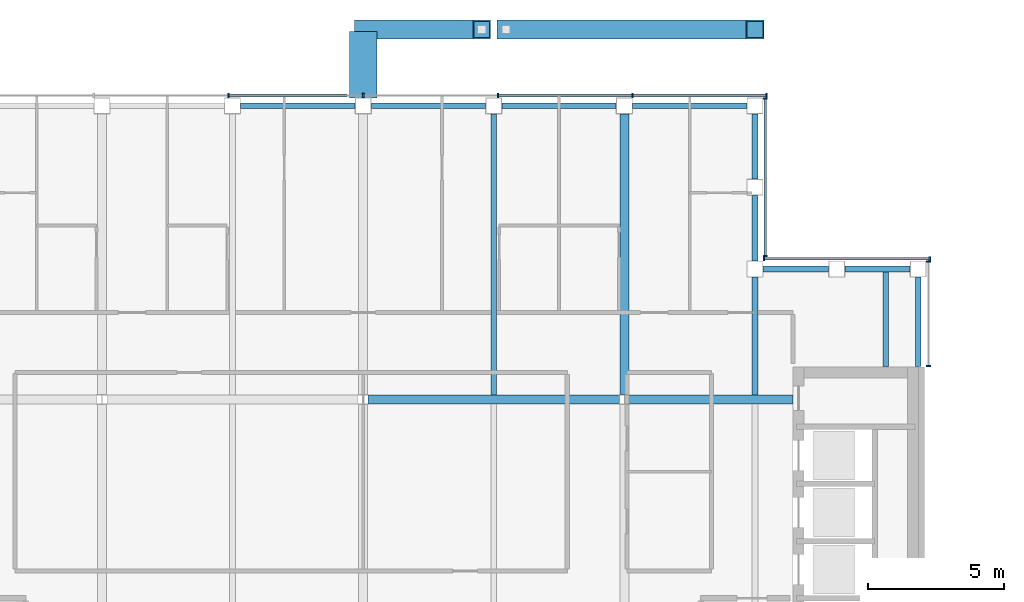
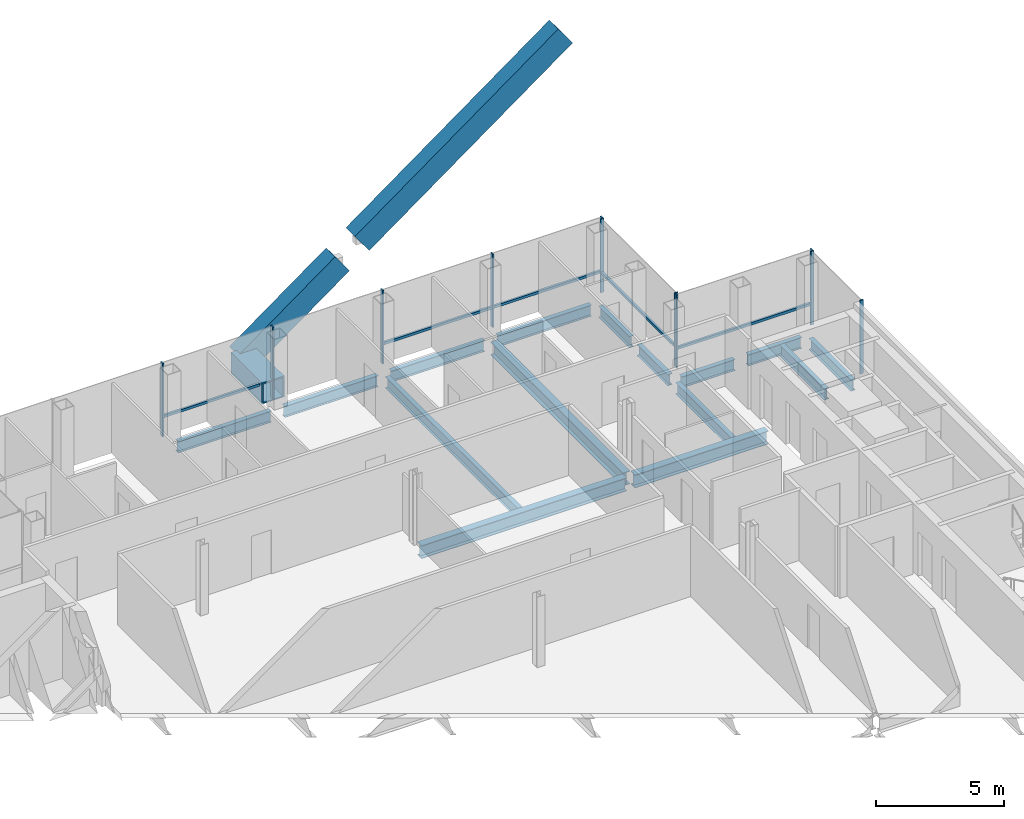
# One storey, part 8 of 15: 18 members, 16 beams, 4 elements without a shape of their own.
"""IFC4 building model written with IfcOpenShell, lengths in metres."""

from ifc_helpers import new_model, si_unit, direction, frame, origin, origin_2d, place, context, subcontext, project, spatial, rectangle, hollow_rectangle, i_section, extrude, material, material_profile, profile_set, type_object, element, aggregate, save


model = new_model("IFC4")

# Units and contexts
model_context = context("Model", 3, precision=1e-05, world=origin(), true_north=direction((0.0, 1.0)))
body_context = subcontext(model_context, "Body", "Model", "MODEL_VIEW")
ifc_project = project(units=[si_unit("LENGTHUNIT", "METRE"), si_unit("AREAUNIT", "SQUARE_METRE"), si_unit("VOLUMEUNIT", "CUBIC_METRE"), si_unit("PLANEANGLEUNIT", "RADIAN"), si_unit("MASSUNIT", "GRAM", prefix="KILO")], contexts=[model_context])

# Site, building, storey
site_placement = place(None, origin())
site = spatial("IfcSite", under=ifc_project, at=site_placement, CompositionType="ELEMENT")
building_placement = place(site_placement, origin())
building = spatial("IfcBuilding", under=site, at=building_placement, Name="Cobrizo Arcos Hotel Tower", CompositionType="ELEMENT")
storey_placement = place(building_placement, frame((0.0, 0.0, 244.5)))
storey = spatial("IfcBuildingStorey", under=building, at=storey_placement, Name="L64", CompositionType="ELEMENT", Elevation=244.5)

# Beam
ifc_material_1 = material(Name="Steel ASTM A572 Grade 50", Category="steel")
ifc_material_profile_1 = material_profile(ifc_material_1, hollow_rectangle(XDim=1.0, YDim=1.0, WallThickness=0.06005859375, at=origin_2d()), Name="BOX 1000X1000X60")
ifc_profile_set_1 = profile_set([ifc_material_profile_1], Name="Steel ASTM A572 Grade 50")
beam_type_1 = type_object("IfcBeamType", Name="BOX 1000X1000X60 brace connector strut", PredefinedType="BEAM", material=ifc_profile_set_1)
beam_1_placement = place(storey_placement, frame((0.0, 20.68994140625, 0.5), z_axis=(0.0, 1.0, 0.0), x_axis=(-1.0, 0.0, 0.0)))
element("IfcBeam", 1, at=beam_1_placement, inside=storey, type_object=beam_type_1, Name="Perimeter brace stub BS1, zone Z5, north face, offset +0.00 m, L64", PredefinedType="BEAM", context=body_context, shape_type="SweptSolid", body=[
    extrude(hollow_rectangle(XDim=1.0, YDim=1.0, WallThickness=0.06005859375, at=origin_2d()), origin(), (0.0, 0.0, 1.0), 2.43017578125),
])

# Members
ifc_material_profile_2 = material_profile(ifc_material_1, hollow_rectangle(XDim=0.699951171875, YDim=1.10009765625, WallThickness=0.06005859375, at=origin_2d()), Name="BOX 700X1100X60")
ifc_profile_set_2 = profile_set([ifc_material_profile_2], Name="Steel ASTM A572 Grade 50")
member_type_1 = type_object("IfcMemberType", Name="BOX 700X1100X60 perimeter brace", PredefinedType="BRACE", material=ifc_profile_set_2)
member_1_placement = place(storey_placement, frame((0.0, 23.199951171875, 0.5), z_axis=(0.808011122183, 0.0, 0.589167231292), x_axis=(0.0, 1.0, 0.0)))
element("IfcMember", 2, at=member_1_placement, inside=storey, type_object=member_type_1, Name="Perimeter brace PBR5, zone Z5, north face, no. 01", PredefinedType="BRACE", context=body_context, shape_type="SweptSolid", body=[
    extrude(hollow_rectangle(XDim=0.699951171875, YDim=1.10009765625, WallThickness=0.06005859375, at=origin_2d()), origin(), (0.0, 0.0, 1.0), 5.392822265625),
])
member_2_placement = place(storey_placement, frame((5.242431640625, 23.199951171875, 4.32275390625), z_axis=(0.808010734919, 0.0, 0.589167762404), x_axis=(0.0, 1.0, 0.0)))
element("IfcMember", 3, at=member_2_placement, inside=storey, type_object=member_type_1, Name="Perimeter brace PBR5, zone Z5, north face, no. 01b", PredefinedType="BRACE", context=body_context, shape_type="SweptSolid", body=[
    extrude(hollow_rectangle(XDim=0.699951171875, YDim=1.10009765625, WallThickness=0.06005859375, at=origin_2d()), origin(), (0.0, 0.0, 1.0), 11.333251953125),
])

# Curtain wall, members
ifc_material_2 = material(Name="Aluminium 6063-T6 anodised bronze", Category="aluminium")
curtain_wall_type = type_object("IfcCurtainWallType", Name="CW-A guest facade", PredefinedType="NOTDEFINED", material=ifc_material_2)
curtain_wall_1_placement = place(storey_placement, origin())
curtain_wall_1 = element("IfcCurtainWall", 4, at=curtain_wall_1_placement, inside=storey, type_object=curtain_wall_type, Name="CW-A L64 E face", PredefinedType="NOTDEFINED")
ifc_material_profile_3 = material_profile(ifc_material_2, rectangle(XDim=0.14990234375, YDim=0.06005859375, at=origin_2d()), Name="CW-A mullion 150x60")
ifc_profile_set_3 = profile_set([ifc_material_profile_3], Name="Aluminium 6063-T6 anodised bronze")
member_type_2 = type_object("IfcMemberType", Name="CW-A mullion 150x60", PredefinedType="MULLION", material=ifc_profile_set_3)
member_3_placement = place(storey_placement, frame((20.77490234375, 10.830078125, 0.0), z_axis=(0.0, 0.0, 1.0), x_axis=(1.0, 0.0, 0.0)))
member_3 = element("IfcMember", 5, at=member_3_placement, type_object=member_type_2, Name="CW-A mullion 1", PredefinedType="MULLION", context=body_context, shape_type="SweptSolid", body=[
    extrude(rectangle(XDim=0.14990234375, YDim=0.06005859375, at=origin_2d()), origin(), (0.0, 0.0, 1.0), 3.5),
])
member_4_placement = place(storey_placement, frame((20.77490234375, 14.669921875, 0.0), z_axis=(0.0, 0.0, 1.0), x_axis=(1.0, 0.0, 0.0)))
member_4 = element("IfcMember", 6, at=member_4_placement, type_object=member_type_2, Name="CW-A mullion 2", PredefinedType="MULLION", context=body_context, shape_type="SweptSolid", body=[
    extrude(rectangle(XDim=0.14990234375, YDim=0.06005859375, at=origin_2d()), origin(), (0.0, 0.0, 1.0), 3.5),
])
aggregate(curtain_wall_1, [member_3, member_4])

curtain_wall_2_placement = place(storey_placement, origin())
curtain_wall_2 = element("IfcCurtainWall", 7, at=curtain_wall_2_placement, inside=storey, type_object=curtain_wall_type, Name="CW-A L64 N face", PredefinedType="NOTDEFINED")
member_5_placement = place(storey_placement, frame((20.820068359375, 14.77490234375, 0.0), z_axis=(0.0, 0.0, 1.0), x_axis=(0.0, 1.0, 0.0)))
member_5 = element("IfcMember", 8, at=member_5_placement, type_object=member_type_2, Name="CW-A mullion 1", PredefinedType="MULLION", context=body_context, shape_type="SweptSolid", body=[
    extrude(rectangle(XDim=0.14990234375, YDim=0.06005859375, at=origin_2d()), origin(), (0.0, 0.0, 1.0), 3.5),
])
member_6_placement = place(storey_placement, frame((14.72998046875, 14.77490234375, 0.0), z_axis=(0.0, 0.0, 1.0), x_axis=(0.0, 1.0, 0.0)))
member_6 = element("IfcMember", 9, at=member_6_placement, type_object=member_type_2, Name="CW-A mullion 2", PredefinedType="MULLION", context=body_context, shape_type="SweptSolid", body=[
    extrude(rectangle(XDim=0.14990234375, YDim=0.06005859375, at=origin_2d()), origin(), (0.0, 0.0, 1.0), 3.5),
])

curtain_wall_3_placement = place(storey_placement, origin())
curtain_wall_3 = element("IfcCurtainWall", 10, at=curtain_wall_3_placement, inside=storey, type_object=curtain_wall_type, Name="CW-A L64 E face", PredefinedType="NOTDEFINED")
member_7_placement = place(storey_placement, frame((14.77490234375, 14.8798828125, 0.0), z_axis=(0.0, 0.0, 1.0), x_axis=(1.0, 0.0, 0.0)))
member_7 = element("IfcMember", 11, at=member_7_placement, type_object=member_type_2, Name="CW-A mullion 1", PredefinedType="MULLION", context=body_context, shape_type="SweptSolid", body=[
    extrude(rectangle(XDim=0.14990234375, YDim=0.06005859375, at=origin_2d()), origin(), (0.0, 0.0, 1.0), 3.5),
])
member_8_placement = place(storey_placement, frame((14.77490234375, 20.669921875, 0.0), z_axis=(0.0, 0.0, 1.0), x_axis=(1.0, 0.0, 0.0)))
member_8 = element("IfcMember", 12, at=member_8_placement, type_object=member_type_2, Name="CW-A mullion 2", PredefinedType="MULLION", context=body_context, shape_type="SweptSolid", body=[
    extrude(rectangle(XDim=0.14990234375, YDim=0.06005859375, at=origin_2d()), origin(), (0.0, 0.0, 1.0), 3.5),
])

curtain_wall_4_placement = place(storey_placement, origin())
curtain_wall_4 = element("IfcCurtainWall", 13, at=curtain_wall_4_placement, inside=storey, type_object=curtain_wall_type, Name="CW-A L64 N face", PredefinedType="NOTDEFINED")
member_9_placement = place(storey_placement, frame((14.820068359375, 20.77490234375, 0.0), z_axis=(0.0, 0.0, 1.0), x_axis=(0.0, 1.0, 0.0)))
member_9 = element("IfcMember", 14, at=member_9_placement, type_object=member_type_2, Name="CW-A mullion 1", PredefinedType="MULLION", context=body_context, shape_type="SweptSolid", body=[
    extrude(rectangle(XDim=0.14990234375, YDim=0.06005859375, at=origin_2d()), origin(), (0.0, 0.0, 1.0), 3.5),
])
member_10_placement = place(storey_placement, frame((9.89990234375, 20.77490234375, 0.0), z_axis=(0.0, 0.0, 1.0), x_axis=(0.0, 1.0, 0.0)))
member_10 = element("IfcMember", 15, at=member_10_placement, type_object=member_type_2, Name="CW-A mullion 2", PredefinedType="MULLION", context=body_context, shape_type="SweptSolid", body=[
    extrude(rectangle(XDim=0.14990234375, YDim=0.06005859375, at=origin_2d()), origin(), (0.0, 0.0, 1.0), 3.5),
])
member_11_placement = place(storey_placement, frame((4.949951171875, 20.77490234375, 0.0), z_axis=(0.0, 0.0, 1.0), x_axis=(0.0, 1.0, 0.0)))
member_11 = element("IfcMember", 16, at=member_11_placement, type_object=member_type_2, Name="CW-A mullion 3", PredefinedType="MULLION", context=body_context, shape_type="SweptSolid", body=[
    extrude(rectangle(XDim=0.14990234375, YDim=0.06005859375, at=origin_2d()), origin(), (0.0, 0.0, 1.0), 3.5),
])
member_12_placement = place(storey_placement, frame((0.0, 20.77490234375, 0.0), z_axis=(0.0, 0.0, 1.0), x_axis=(0.0, 1.0, 0.0)))
member_12 = element("IfcMember", 17, at=member_12_placement, type_object=member_type_2, Name="CW-A mullion 4", PredefinedType="MULLION", context=body_context, shape_type="SweptSolid", body=[
    extrude(rectangle(XDim=0.14990234375, YDim=0.06005859375, at=origin_2d()), origin(), (0.0, 0.0, 1.0), 3.5),
])
member_13_placement = place(storey_placement, frame((-4.949951171875, 20.77490234375, 0.0), z_axis=(0.0, 0.0, 1.0), x_axis=(0.0, 1.0, 0.0)))
member_13 = element("IfcMember", 18, at=member_13_placement, type_object=member_type_2, Name="CW-A mullion 5", PredefinedType="MULLION", context=body_context, shape_type="SweptSolid", body=[
    extrude(rectangle(XDim=0.14990234375, YDim=0.06005859375, at=origin_2d()), origin(), (0.0, 0.0, 1.0), 3.5),
])

# Member
ifc_material_profile_4 = material_profile(ifc_material_2, rectangle(XDim=0.10009765625, YDim=0.1201171875, at=origin_2d()), Name="CW-A transom 120x100")
ifc_profile_set_4 = profile_set([ifc_material_profile_4], Name="Aluminium 6063-T6 anodised bronze")
member_type_3 = type_object("IfcMemberType", Name="CW-A transom 120x100", PredefinedType="USERDEFINED", material=ifc_profile_set_4)
member_14_placement = place(storey_placement, frame((20.7900390625, 14.77490234375, 0.929931640625), z_axis=(-1.0, 0.0, 0.0), x_axis=(0.0, -1.0, 0.0)))
member_14 = element("IfcMember", 19, at=member_14_placement, type_object=member_type_3, Name="CW-A transom 2046", ObjectType="TRANSOM", PredefinedType="USERDEFINED", context=body_context, shape_type="SweptSolid", body=[
    extrude(rectangle(XDim=0.10009765625, YDim=0.1201171875, at=origin_2d()), origin(), (0.0, 0.0, 1.0), 6.030029296875),
])

aggregate(curtain_wall_2, [member_5, member_6, member_14])

member_15_placement = place(storey_placement, frame((14.77490234375, 14.909912109375, 0.929931640625), z_axis=(0.0, 1.0, 0.0), x_axis=(-1.0, 0.0, 0.0)))
member_15 = element("IfcMember", 20, at=member_15_placement, type_object=member_type_3, Name="CW-A transom 2047", ObjectType="TRANSOM", PredefinedType="USERDEFINED", context=body_context, shape_type="SweptSolid", body=[
    extrude(rectangle(XDim=0.10009765625, YDim=0.1201171875, at=origin_2d()), origin(), (0.0, 0.0, 1.0), 5.72998046875),
])

aggregate(curtain_wall_3, [member_7, member_8, member_15])

member_16_placement = place(storey_placement, frame((14.7900390625, 20.77490234375, 0.929931640625), z_axis=(-1.0, 0.0, 0.0), x_axis=(0.0, -1.0, 0.0)))
member_16 = element("IfcMember", 21, at=member_16_placement, type_object=member_type_3, Name="CW-A transom 2048", ObjectType="TRANSOM", PredefinedType="USERDEFINED", context=body_context, shape_type="SweptSolid", body=[
    extrude(rectangle(XDim=0.10009765625, YDim=0.1201171875, at=origin_2d()), origin(), (0.0, 0.0, 1.0), 4.860107421875),
])

member_17_placement = place(storey_placement, frame((9.8701171875, 20.77490234375, 0.929931640625), z_axis=(-1.0, 0.0, 0.0), x_axis=(0.0, -1.0, 0.0)))
member_17 = element("IfcMember", 22, at=member_17_placement, type_object=member_type_3, Name="CW-A transom 2049", ObjectType="TRANSOM", PredefinedType="USERDEFINED", context=body_context, shape_type="SweptSolid", body=[
    extrude(rectangle(XDim=0.10009765625, YDim=0.1201171875, at=origin_2d()), origin(), (0.0, 0.0, 1.0), 4.89013671875),
])

member_18_placement = place(storey_placement, frame((-0.60009765625, 20.77490234375, 0.929931640625), z_axis=(-1.0, 0.0, 0.0), x_axis=(0.0, -1.0, 0.0)))
member_18 = element("IfcMember", 23, at=member_18_placement, type_object=member_type_3, Name="CW-A transom 2051", ObjectType="TRANSOM", PredefinedType="USERDEFINED", context=body_context, shape_type="SweptSolid", body=[
    extrude(rectangle(XDim=0.10009765625, YDim=0.1201171875, at=origin_2d()), origin(), (0.0, 0.0, 1.0), 4.31982421875),
])

aggregate(curtain_wall_4, [member_9, member_10, member_11, member_12, member_13, member_16, member_17, member_18])

# Beams
ifc_material_3 = material(Name="Steel ASTM A992 Grade 50", Category="steel")
ifc_material_profile_5 = material_profile(ifc_material_3, i_section(OverallWidth=0.209228515625, OverallDepth=0.533447265625, WebThickness=0.01025390625, FlangeThickness=0.015625, at=origin_2d()), Name="W21X62")
ifc_profile_set_5 = profile_set([ifc_material_profile_5], Name="Steel ASTM A992 Grade 50")
beam_type_2 = type_object("IfcBeamType", Name="W21X62 joist", PredefinedType="JOIST", material=ifc_profile_set_5)
beam_2_placement = place(storey_placement, frame((4.800048828125, 9.763916015625, -0.416748046875), z_axis=(0.0, 1.0, 0.0), x_axis=(-1.0, 0.0, 0.0)))
element("IfcBeam", 24, at=beam_2_placement, inside=storey, type_object=beam_type_2, Name="Floor joist J1, L64, no. 014", PredefinedType="JOIST", context=body_context, shape_type="SweptSolid", body=[
    extrude(i_section(OverallWidth=0.209228515625, OverallDepth=0.533447265625, WebThickness=0.01025390625, FlangeThickness=0.015625, at=origin_2d()), origin(), (0.0, 0.0, 1.0), 10.336181640625),
])
beam_3_placement = place(storey_placement, frame((14.39990234375, 9.763916015625, -0.416748046875), z_axis=(0.0, 1.0, 0.0), x_axis=(-1.0, 0.0, 0.0)))
element("IfcBeam", 25, at=beam_3_placement, inside=storey, type_object=beam_type_2, Name="Floor joist J1, L64, no. 018", PredefinedType="JOIST", context=body_context, shape_type="SweptSolid", body=[
    extrude(i_section(OverallWidth=0.209228515625, OverallDepth=0.533447265625, WebThickness=0.01025390625, FlangeThickness=0.015625, at=origin_2d()), origin(), (0.0, 0.0, 1.0), 4.336181640625),
])
beam_4_placement = place(storey_placement, frame((19.199951171875, 10.81005859375, -0.416748046875), z_axis=(0.0, 1.0, 0.0), x_axis=(-1.0, 0.0, 0.0)))
element("IfcBeam", 26, at=beam_4_placement, inside=storey, type_object=beam_type_2, Name="Floor joist J1, L64, no. 020", PredefinedType="JOIST", context=body_context, shape_type="SweptSolid", body=[
    extrude(i_section(OverallWidth=0.209228515625, OverallDepth=0.533447265625, WebThickness=0.01025390625, FlangeThickness=0.015625, at=origin_2d()), origin(), (0.0, 0.0, 1.0), 3.5),
])
ifc_material_profile_6 = material_profile(ifc_material_3, i_section(OverallWidth=0.209228515625, OverallDepth=0.533447265625, WebThickness=0.01025390625, FlangeThickness=0.015625, at=origin_2d()), Name="W21X62")
ifc_profile_set_6 = profile_set([ifc_material_profile_6], Name="Steel ASTM A992 Grade 50")
beam_type_3 = type_object("IfcBeamType", Name="W21X62 spandrel", PredefinedType="SPANDREL", material=ifc_profile_set_6)
beam_5_placement = place(storey_placement, frame((20.39990234375, 10.81005859375, -0.416748046875), z_axis=(0.0, 1.0, 0.0), x_axis=(-1.0, 0.0, 0.0)))
element("IfcBeam", 27, at=beam_5_placement, inside=storey, type_object=beam_type_3, Name="Spandrel beam W21X62, L64, no. 012", PredefinedType="SPANDREL", context=body_context, shape_type="SweptSolid", body=[
    extrude(i_section(OverallWidth=0.209228515625, OverallDepth=0.533447265625, WebThickness=0.01025390625, FlangeThickness=0.015625, at=origin_2d()), origin(), (0.0, 0.0, 1.0), 3.2900390625),
])
for number, where, z_axis, x_axis, name in (
    (28, (20.10009765625, 14.39990234375, -0.416748046875), (-1.0, 0.0, 0.0), (0.0, -1.0, 0.0), "Spandrel beam W21X62, L64, no. 013"),
    (29, (17.10009765625, 14.39990234375, -0.416748046875), (-1.0, 0.0, 0.0), (0.0, -1.0, 0.0), "Spandrel beam W21X62, L64, no. 014"),
    (30, (14.39990234375, 14.699951171875, -0.416748046875), (0.0, 1.0, 0.0), (-1.0, 0.0, 0.0), "Spandrel beam W21X62, L64, no. 015"),
    (31, (14.39990234375, 17.699951171875, -0.416748046875), (0.0, 1.0, 0.0), (-1.0, 0.0, 0.0), "Spandrel beam W21X62, L64, no. 016"),
):
    element("IfcBeam", number, at=place(storey_placement, frame(where, z_axis=z_axis, x_axis=x_axis)), inside=storey, type_object=beam_type_3, Name=name, PredefinedType="SPANDREL", context=body_context, shape_type="SweptSolid", body=[
        extrude(i_section(OverallWidth=0.209228515625, OverallDepth=0.533447265625, WebThickness=0.01025390625, FlangeThickness=0.015625, at=origin_2d()), origin(), (0.0, 0.0, 1.0), 2.400146484375),
    ])
beam_6_placement = place(storey_placement, frame((14.10009765625, 20.39990234375, -0.416748046875), z_axis=(-1.0, 0.0, 0.0), x_axis=(0.0, -1.0, 0.0)))
element("IfcBeam", 32, at=beam_6_placement, inside=storey, type_object=beam_type_3, Name="Spandrel beam W21X62, L64, no. 017", PredefinedType="SPANDREL", context=body_context, shape_type="SweptSolid", body=[
    extrude(i_section(OverallWidth=0.209228515625, OverallDepth=0.533447265625, WebThickness=0.01025390625, FlangeThickness=0.015625, at=origin_2d()), origin(), (0.0, 0.0, 1.0), 4.2001953125),
])
for number, where, z_axis, x_axis, name in (
    (33, (9.300048828125, 20.39990234375, -0.416748046875), (-1.0, 0.0, 0.0), (0.0, -1.0, 0.0), "Spandrel beam W21X62, L64, no. 018"),
    (34, (4.5, 20.39990234375, -0.416748046875), (-1.0, 0.0, 0.0), (0.0, -1.0, 0.0), "Spandrel beam W21X62, L64, no. 019"),
    (35, (-0.300048828125, 20.39990234375, -0.416748046875), (-1.0, 0.0, 0.0), (0.0, -1.0, 0.0), "Spandrel beam W21X62, L64, no. 020"),
):
    element("IfcBeam", number, at=place(storey_placement, frame(where, z_axis=z_axis, x_axis=x_axis)), inside=storey, type_object=beam_type_3, Name=name, PredefinedType="SPANDREL", context=body_context, shape_type="SweptSolid", body=[
        extrude(i_section(OverallWidth=0.209228515625, OverallDepth=0.533447265625, WebThickness=0.01025390625, FlangeThickness=0.015625, at=origin_2d()), origin(), (0.0, 0.0, 1.0), 4.199951171875),
    ])
ifc_material_profile_7 = material_profile(ifc_material_3, i_section(OverallWidth=0.32763671875, OverallDepth=0.622314453125, WebThickness=0.015380859375, FlangeThickness=0.0244140625, at=origin_2d()), Name="W24X131")
ifc_profile_set_7 = profile_set([ifc_material_profile_7], Name="Steel ASTM A992 Grade 50")
beam_type_4 = type_object("IfcBeamType", Name="W24X131 girder", PredefinedType="BEAM", material=ifc_profile_set_7)
beam_7_placement = place(storey_placement, frame((0.18408203125, 9.60009765625, -0.461181640625), z_axis=(1.0, 0.0, 0.0), x_axis=(0.0, 1.0, 0.0)))
element("IfcBeam", 36, at=beam_7_placement, inside=storey, type_object=beam_type_4, Name="Floor girder G1, L64, no. 011", PredefinedType="BEAM", context=body_context, shape_type="SweptSolid", body=[
    extrude(i_section(OverallWidth=0.32763671875, OverallDepth=0.622314453125, WebThickness=0.015380859375, FlangeThickness=0.0244140625, at=origin_2d()), origin(), (0.0, 0.0, 1.0), 9.231689453125),
])
beam_8_placement = place(storey_placement, frame((9.7841796875, 9.60009765625, -0.461181640625), z_axis=(1.0, 0.0, 0.0), x_axis=(0.0, 1.0, 0.0)))
element("IfcBeam", 37, at=beam_8_placement, inside=storey, type_object=beam_type_4, Name="Floor girder G1, L64, no. 012", PredefinedType="BEAM", context=body_context, shape_type="SweptSolid", body=[
    extrude(i_section(OverallWidth=0.32763671875, OverallDepth=0.622314453125, WebThickness=0.015380859375, FlangeThickness=0.0244140625, at=origin_2d()), origin(), (0.0, 0.0, 1.0), 6.005859375),
])
beam_9_placement = place(storey_placement, frame((9.60009765625, 9.7841796875, -0.461181640625), z_axis=(0.0, 1.0, 0.0), x_axis=(-1.0, 0.0, 0.0)))
element("IfcBeam", 38, at=beam_9_placement, inside=storey, type_object=beam_type_4, Name="Floor girder G1, L64, no. 024", PredefinedType="BEAM", context=body_context, shape_type="SweptSolid", body=[
    extrude(i_section(OverallWidth=0.32763671875, OverallDepth=0.622314453125, WebThickness=0.015380859375, FlangeThickness=0.0244140625, at=origin_2d()), origin(), (0.0, 0.0, 1.0), 10.31591796875),
])

save(model, "model.ifc")
